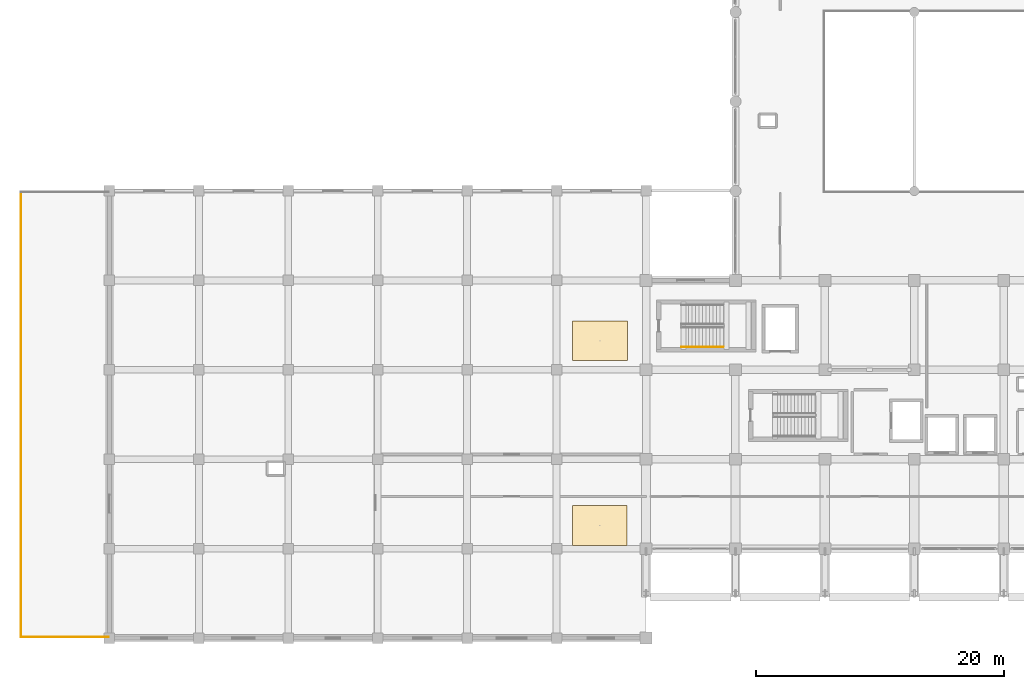
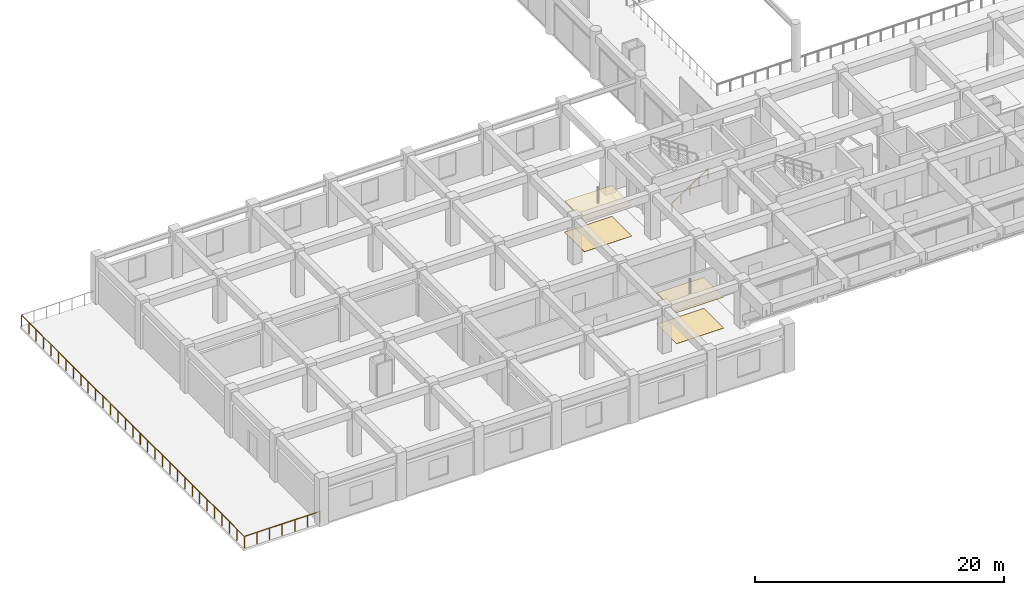
# One storey, part 48 of 54: 4 coverings, 3 railings.
"""IFC4 building model written with IfcOpenShell, lengths in metres."""

from ifc_helpers import new_model, si_unit, direction, frame, origin, origin_2d, place, context, subcontext, project, spatial, rectangle, circle, extrude, material, layer, layer_set, type_object, element, save


model = new_model("IFC4")

# Units and contexts
model_context = context("Model", 3, precision=1e-05, world=origin(), true_north=direction((0.0, 1.0)))
body_context = subcontext(model_context, "Body", "Model", "MODEL_VIEW")
ifc_project = project(units=[si_unit("LENGTHUNIT", "METRE"), si_unit("AREAUNIT", "SQUARE_METRE"), si_unit("VOLUMEUNIT", "CUBIC_METRE"), si_unit("PLANEANGLEUNIT", "RADIAN"), si_unit("MASSUNIT", "GRAM", prefix="KILO")], contexts=[model_context])

# Site, building, storey
site_placement = place(None, origin())
site = spatial("IfcSite", under=ifc_project, at=site_placement, CompositionType="ELEMENT")
building_placement = place(site_placement, origin())
building = spatial("IfcBuilding", under=site, at=building_placement, Name="Kazehaya Institute of Natural Sciences", CompositionType="ELEMENT")
storey_placement = place(building_placement, frame((0.0, 0.0, 10.43994140625)))
storey = spatial("IfcBuildingStorey", under=building, at=storey_placement, Name="L02", CompositionType="ELEMENT", Elevation=10.43994140625)

# Coverings
ifc_material_1 = material(Name="Cleanroom aluminium HEPA FFU ceiling grid", Category="aluminium")
ifc_layer_1 = layer(ifc_material_1, 0.044921875, Name="Cleanroom aluminium HEPA FFU ceiling grid", Category="aluminium")
ifc_layer_set_1 = layer_set([ifc_layer_1], Name="Cleanroom aluminium HEPA FFU ceiling grid")
covering_type_1 = type_object("IfcCoveringType", Name="COV-CEIL-FFU", PredefinedType="CEILING", material=ifc_layer_set_1)
for number, where, z_axis, x_axis, name in (
    (1, (50.875, 15.87451171875, 3.017578125), (0.0, 0.0, 1.0), (1.0, 0.0, 0.0), "L02 Clean Room Gowning and Metrology Suite ceiling 27"),
    (2, (50.89990234375, 30.73681640625, 3.017578125), (0.0, 0.0, 1.0), (1.0, 0.0, 0.0), "L02 Clean Room FFU Recirculation Plenum ceiling 28"),
):
    element("IfcCovering", number, at=place(storey_placement, frame(where, z_axis=z_axis, x_axis=x_axis)), inside=storey, type_object=covering_type_1, Name=name, PredefinedType="CEILING", context=body_context, shape_type="SweptSolid", body=[
        extrude(rectangle(XDim=4.39990234375, YDim=3.199951171875, at=origin_2d()), origin(), (0.0, 0.0, 1.0), 0.044921875),
    ])
ifc_material_2 = material(Name="Seamless chemical-resistant epoxy flooring")
ifc_layer_2 = layer(ifc_material_2, 0.014892578125, Name="Seamless chemical-resistant epoxy flooring")
ifc_layer_set_2 = layer_set([ifc_layer_2], Name="Seamless chemical-resistant epoxy flooring")
covering_type_2 = type_object("IfcCoveringType", Name="COV-FLR-EPX", PredefinedType="FLOORING", material=ifc_layer_set_2)
for number, where, z_axis, x_axis, name in (
    (3, (50.875, 15.87451171875, 0.0), (0.0, 0.0, 1.0), (1.0, 0.0, 0.0), "L02 Clean Room Gowning and Metrology Suite finish flooring 27"),
    (4, (50.89990234375, 30.73681640625, 0.0), (0.0, 0.0, 1.0), (1.0, 0.0, 0.0), "L02 Clean Room FFU Recirculation Plenum finish flooring 28"),
):
    element("IfcCovering", number, at=place(storey_placement, frame(where, z_axis=z_axis, x_axis=x_axis)), inside=storey, type_object=covering_type_2, Name=name, PredefinedType="FLOORING", context=body_context, shape_type="SweptSolid", body=[
        extrude(rectangle(XDim=4.39990234375, YDim=3.199951171875, at=origin_2d()), origin(), (0.0, 0.0, 1.0), 0.014892578125),
    ])

# Railings
ifc_material_3 = material(Name="Precast limestone and bronze balustrade", Category="masonry")
railing_type_1 = type_object("IfcRailingType", Name="RL-GUARD-TER", PredefinedType="BALUSTRADE", material=ifc_material_3)
railing_1_placement = place(storey_placement, frame((4.280029296875, 6.8798828125, 0.0)))
element("IfcRailing", 5, at=railing_1_placement, inside=storey, type_object=railing_type_1, Name="L02 terrace balustrade GRD-L02-010", PredefinedType="BALUSTRADE", context=body_context, shape_type="SweptSolid", body=[
    extrude(circle(Radius=0.02392578125, at=origin_2d()), frame((0.0, 0.0, 1.1259765625), z_axis=(1.0, 0.0, 0.0), x_axis=(0.0, 1.0, 0.0)), (0.0, 0.0, 1.0), 7.0400390625),
    extrude(circle(Radius=0.02099609375, at=origin_2d()), origin(), (0.0, 0.0, 1.0), 1.101806640625),
    extrude(circle(Radius=0.02099609375, at=origin_2d()), frame((1.17333984375, 0.0, 0.0)), (0.0, 0.0, 1.0), 1.101806640625),
    extrude(circle(Radius=0.02099609375, at=origin_2d()), frame((2.3466796875, 0.0, 0.0)), (0.0, 0.0, 1.0), 1.101806640625),
    extrude(circle(Radius=0.02099609375, at=origin_2d()), frame((3.52001953125, 0.0, 0.0)), (0.0, 0.0, 1.0), 1.101806640625),
    extrude(circle(Radius=0.02099609375, at=origin_2d()), frame((4.693359375, 0.0, 0.0)), (0.0, 0.0, 1.0), 1.101806640625),
    extrude(circle(Radius=0.02099609375, at=origin_2d()), frame((5.86669921875, 0.0, 0.0)), (0.0, 0.0, 1.0), 1.101806640625),
    extrude(circle(Radius=0.02099609375, at=origin_2d()), frame((7.0400390625, 0.0, 0.0)), (0.0, 0.0, 1.0), 1.101806640625),
])
railing_2_placement = place(storey_placement, frame((4.280029296875, 42.719970703125, 0.0)))
element("IfcRailing", 6, at=railing_2_placement, inside=storey, type_object=railing_type_1, Name="L02 terrace balustrade GRD-L02-012", PredefinedType="BALUSTRADE", context=body_context, shape_type="SweptSolid", body=[
    extrude(circle(Radius=0.02392578125, at=origin_2d()), frame((0.0, 0.0, 1.1259765625), z_axis=(0.0, -1.0, 0.0), x_axis=(1.0, 0.0, 0.0)), (0.0, 0.0, 1.0), 35.840087890625),
    extrude(circle(Radius=0.02099609375, at=origin_2d()), origin(), (0.0, 0.0, 1.0), 1.101806640625),
    extrude(circle(Radius=0.02099609375, at=origin_2d()), frame((0.0, -1.194580078125, 0.0)), (0.0, 0.0, 1.0), 1.101806640625),
    extrude(circle(Radius=0.02099609375, at=origin_2d()), frame((0.0, -2.389404296875, 0.0)), (0.0, 0.0, 1.0), 1.101806640625),
    extrude(circle(Radius=0.02099609375, at=origin_2d()), frame((0.0, -3.583984375, 0.0)), (0.0, 0.0, 1.0), 1.101806640625),
    extrude(circle(Radius=0.02099609375, at=origin_2d()), frame((0.0, -4.778564453125, 0.0)), (0.0, 0.0, 1.0), 1.101806640625),
    extrude(circle(Radius=0.02099609375, at=origin_2d()), frame((0.0, -5.973388671875, 0.0)), (0.0, 0.0, 1.0), 1.101806640625),
    extrude(circle(Radius=0.02099609375, at=origin_2d()), frame((0.0, -7.16796875, 0.0)), (0.0, 0.0, 1.0), 1.101806640625),
    extrude(circle(Radius=0.02099609375, at=origin_2d()), frame((0.0, -8.36279296875, 0.0)), (0.0, 0.0, 1.0), 1.101806640625),
    extrude(circle(Radius=0.02099609375, at=origin_2d()), frame((0.0, -9.557373046875, 0.0)), (0.0, 0.0, 1.0), 1.101806640625),
    extrude(circle(Radius=0.02099609375, at=origin_2d()), frame((0.0, -10.751953125, 0.0)), (0.0, 0.0, 1.0), 1.101806640625),
    extrude(circle(Radius=0.02099609375, at=origin_2d()), frame((0.0, -11.94677734375, 0.0)), (0.0, 0.0, 1.0), 1.101806640625),
    extrude(circle(Radius=0.02099609375, at=origin_2d()), frame((0.0, -13.141357421875, 0.0)), (0.0, 0.0, 1.0), 1.101806640625),
    extrude(circle(Radius=0.02099609375, at=origin_2d()), frame((0.0, -14.3359375, 0.0)), (0.0, 0.0, 1.0), 1.101806640625),
    extrude(circle(Radius=0.02099609375, at=origin_2d()), frame((0.0, -15.53076171875, 0.0)), (0.0, 0.0, 1.0), 1.101806640625),
    extrude(circle(Radius=0.02099609375, at=origin_2d()), frame((0.0, -16.725341796875, 0.0)), (0.0, 0.0, 1.0), 1.101806640625),
    extrude(circle(Radius=0.02099609375, at=origin_2d()), frame((0.0, -17.919921875, 0.0)), (0.0, 0.0, 1.0), 1.101806640625),
    extrude(circle(Radius=0.02099609375, at=origin_2d()), frame((0.0, -19.11474609375, 0.0)), (0.0, 0.0, 1.0), 1.101806640625),
    extrude(circle(Radius=0.02099609375, at=origin_2d()), frame((0.0, -20.309326171875, 0.0)), (0.0, 0.0, 1.0), 1.101806640625),
    extrude(circle(Radius=0.02099609375, at=origin_2d()), frame((0.0, -21.504150390625, 0.0)), (0.0, 0.0, 1.0), 1.101806640625),
    extrude(circle(Radius=0.02099609375, at=origin_2d()), frame((0.0, -22.69873046875, 0.0)), (0.0, 0.0, 1.0), 1.101806640625),
    extrude(circle(Radius=0.02099609375, at=origin_2d()), frame((0.0, -23.893310546875, 0.0)), (0.0, 0.0, 1.0), 1.101806640625),
    extrude(circle(Radius=0.02099609375, at=origin_2d()), frame((0.0, -25.088134765625, 0.0)), (0.0, 0.0, 1.0), 1.101806640625),
    extrude(circle(Radius=0.02099609375, at=origin_2d()), frame((0.0, -26.28271484375, 0.0)), (0.0, 0.0, 1.0), 1.101806640625),
    extrude(circle(Radius=0.02099609375, at=origin_2d()), frame((0.0, -27.477294921875, 0.0)), (0.0, 0.0, 1.0), 1.101806640625),
    extrude(circle(Radius=0.02099609375, at=origin_2d()), frame((0.0, -28.672119140625, 0.0)), (0.0, 0.0, 1.0), 1.101806640625),
    extrude(circle(Radius=0.02099609375, at=origin_2d()), frame((0.0, -29.86669921875, 0.0)), (0.0, 0.0, 1.0), 1.101806640625),
    extrude(circle(Radius=0.02099609375, at=origin_2d()), frame((0.0, -31.0615234375, 0.0)), (0.0, 0.0, 1.0), 1.101806640625),
    extrude(circle(Radius=0.02099609375, at=origin_2d()), frame((0.0, -32.256103515625, 0.0)), (0.0, 0.0, 1.0), 1.101806640625),
    extrude(circle(Radius=0.02099609375, at=origin_2d()), frame((0.0, -33.45068359375, 0.0)), (0.0, 0.0, 1.0), 1.101806640625),
    extrude(circle(Radius=0.02099609375, at=origin_2d()), frame((0.0, -34.6455078125, 0.0)), (0.0, 0.0, 1.0), 1.101806640625),
    extrude(circle(Radius=0.02099609375, at=origin_2d()), frame((0.0, -35.840087890625, 0.0)), (0.0, 0.0, 1.0), 1.101806640625),
])
ifc_material_4 = material(Name="Brushed stainless steel handrail", Category="steel")
railing_type_2 = type_object("IfcRailingType", Name="RL-STAIR-HND", PredefinedType="HANDRAIL", material=ifc_material_4)
railing_3_placement = place(storey_placement, frame((57.4599609375, 30.25, 0.18017578125)))
element("IfcRailing", 7, at=railing_3_placement, inside=storey, type_object=railing_type_2, Name="L02 ST-4 stair handrail 1", PredefinedType="HANDRAIL", context=body_context, shape_type="SweptSolid", body=[
    extrude(circle(Radius=0.02392578125, at=origin_2d()), frame((0.0, 0.0, 0.8759765625), z_axis=(0.84119634759, 0.0, 0.540729789082), x_axis=(0.0, 1.0, 0.0)), (0.0, 0.0, 1.0), 3.994384765625),
    extrude(circle(Radius=0.02099609375, at=origin_2d()), origin(), (0.0, 0.0, 1.0), 0.851806640625),
    extrude(circle(Radius=0.02099609375, at=origin_2d()), frame((0.840087890625, 0.0, 0.5400390625)), (0.0, 0.0, 1.0), 0.851806640625),
    extrude(circle(Radius=0.02099609375, at=origin_2d()), frame((1.68017578125, 0.0, 1.080078125)), (0.0, 0.0, 1.0), 0.851806640625),
    extrude(circle(Radius=0.02099609375, at=origin_2d()), frame((2.52001953125, 0.0, 1.619873046875)), (0.0, 0.0, 1.0), 0.851806640625),
    extrude(circle(Radius=0.02099609375, at=origin_2d()), frame((3.360107421875, 0.0, 2.159912109375)), (0.0, 0.0, 1.0), 0.851806640625),
])

save(model, "model.ifc")
